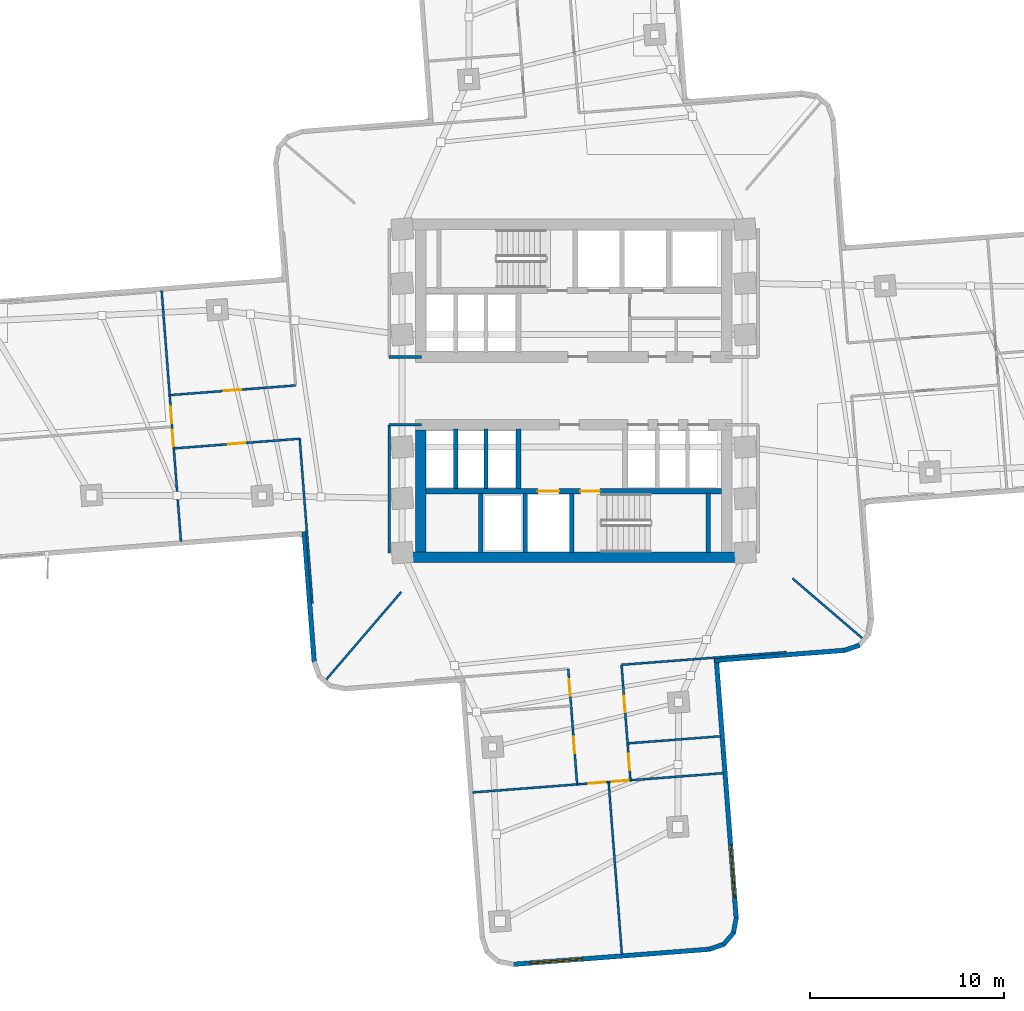
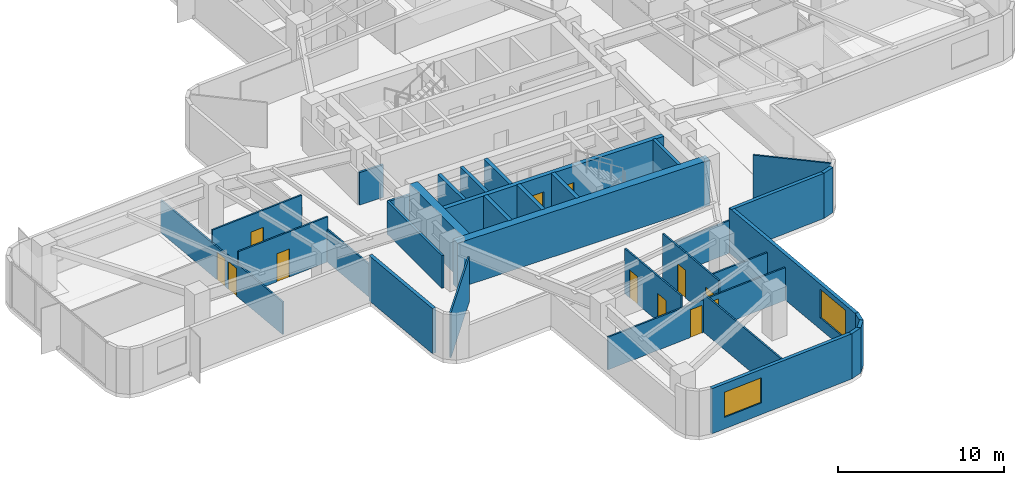
# One storey, part 8 of 15: 33 walls, 12 doors, 2 windows, 14 openings.
"""IFC4 building model written with IfcOpenShell, lengths in metres."""

from ifc_helpers import new_model, si_unit, direction, frame, frame_2d, origin, place, context, subcontext, project, spatial, rectangle, extrude, material, layer, layer_set, type_object, element, fill, save


model = new_model("IFC4")

# Units and contexts
model_context = context("Model", 3, precision=1e-05, world=origin(), true_north=direction((0.0, 1.0)))
body_context = subcontext(model_context, "Body", "Model", "MODEL_VIEW")
ifc_project = project(units=[si_unit("LENGTHUNIT", "METRE"), si_unit("AREAUNIT", "SQUARE_METRE"), si_unit("VOLUMEUNIT", "CUBIC_METRE"), si_unit("PLANEANGLEUNIT", "RADIAN"), si_unit("MASSUNIT", "GRAM", prefix="KILO")], contexts=[model_context])

# Site, building, storey
site_placement = place(None, origin())
site = spatial("IfcSite", under=ifc_project, at=site_placement, CompositionType="ELEMENT")
building_placement = place(site_placement, origin())
building = spatial("IfcBuilding", under=site, at=building_placement, Name="Solmarez Civic Tower", CompositionType="ELEMENT")
storey_placement = place(building_placement, frame((0.0, 0.0, 60.47998046875)))
storey = spatial("IfcBuildingStorey", under=building, at=storey_placement, Name="L15", CompositionType="ELEMENT", Elevation=60.47998046875)

# Walls
ifc_material_1 = material(Name="Concrete C60/75", Category="concrete")
ifc_layer_1 = layer(ifc_material_1, 0.550048828125)
ifc_layer_set_1 = layer_set([ifc_layer_1], Name="Concrete C60/75")
wall_type_1 = type_object("IfcWallType", Name="WALL-CORE-550", PredefinedType="SHEAR", material=ifc_layer_set_1)
wall_1_placement = place(storey_placement, frame((8.780029296875, -8.5849609375, 0.0), z_axis=(0.0, 0.0, 1.0), x_axis=(-1.0, 0.0, 0.0)))
element("IfcWall", 1, at=wall_1_placement, inside=storey, type_object=wall_type_1, Name="L15 Split-Core Structural Wall SCW-S-L15", PredefinedType="SHEAR", context=body_context, shape_type="SweptSolid", body=[
    extrude(rectangle(XDim=17.56005859375, YDim=0.550048828125, at=frame_2d((8.780029296875, 0.0))), origin(), (0.0, 0.0, 1.0), 3.320068359375),
])
wall_2_placement = place(storey_placement, frame((-7.89501953125, -8.31005859375, 0.0), z_axis=(0.0, 0.0, 1.0), x_axis=(0.0, 1.0, 0.0)))
element("IfcWall", 2, at=wall_2_placement, inside=storey, type_object=wall_type_1, Name="L15 Split-Core Structural Wall SCW-W-L15", PredefinedType="SHEAR", context=body_context, shape_type="SweptSolid", body=[
    extrude(rectangle(XDim=6.28515625, YDim=0.550048828125, at=frame_2d((3.142578125, 0.0))), origin(), (0.0, 0.0, 1.0), 3.320068359375),
])
ifc_material_2 = material(Name="Precast concrete C40/50", Category="concrete")
ifc_layer_2 = layer(ifc_material_2, 0.239990234375)
ifc_layer_set_2 = layer_set([ifc_layer_2], Name="Precast concrete C40/50")
wall_type_2 = type_object("IfcWallType", Name="WALL-EXT-240", PredefinedType="SOLIDWALL", material=ifc_layer_set_2)
wall_3_placement = place(storey_placement, frame((14.762939453125, -13.1279296875, 0.0), z_axis=(0.0, 0.0, 1.0), x_axis=(-0.943569376564, -0.331174926, 0.0)))
element("IfcWall", 3, at=wall_3_placement, inside=storey, type_object=wall_type_2, Name="L15 Exterior Precast Wall 52", PredefinedType="SOLIDWALL", context=body_context, shape_type="SweptSolid", body=[
    extrude(rectangle(XDim=0.830810546875, YDim=0.239990234375, at=frame_2d((0.41552734375, 0.0))), origin(), (0.0, 0.0, 1.0), 3.320068359375),
])
wall_4_placement = place(storey_placement, frame((14.028076171875, -13.39306640625, 0.0), z_axis=(0.0, 0.0, 1.0), x_axis=(-0.997050032451, -0.076754366588, 0.0)))
element("IfcWall", 4, at=wall_4_placement, inside=storey, type_object=wall_type_2, Name="L15 Exterior Precast Wall 53", PredefinedType="SOLIDWALL", context=body_context, shape_type="SweptSolid", body=[
    extrude(rectangle(XDim=6.775146484375, YDim=0.239990234375, at=frame_2d((3.3876953125, 0.0))), origin(), (0.0, 0.0, 1.0), 3.320068359375),
])

# Wall, opening, window
wall_5_placement = place(storey_placement, frame((7.362060546875, -13.81005859375, 0.0), z_axis=(0.0, 0.0, 1.0), x_axis=(0.076653550573, -0.997057788287, 0.0)))
wall_5 = element("IfcWall", 5, at=wall_5_placement, inside=storey, type_object=wall_type_2, Name="L15 Exterior Precast Wall 56", PredefinedType="SOLIDWALL", context=body_context, shape_type="SweptSolid", body=[
    extrude(rectangle(XDim=13.4755859375, YDim=0.239990234375, at=frame_2d((6.73779296875, 0.0))), origin(), (0.0, 0.0, 1.0), 3.320068359375),
])
opening_1_placement = place(wall_5_placement, frame((9.676025390625, 0.0, 0.85009765625)))
opening_1 = element("IfcOpeningElement", 6, at=opening_1_placement, cuts=wall_5, Name="Opening W-01", PredefinedType="OPENING", context=body_context, shape_type="SweptSolid", body=[
    extrude(rectangle(XDim=2.699951171875, YDim=2.10009765625, at=frame_2d((1.35009765625, 1.050048828125))), frame((0.0, 0.1298828125, 0.0), z_axis=(0.0, -1.0, 0.0), x_axis=(1.0, 0.0, 0.0)), (0.0, 0.0, 1.0), 0.260009765625),
])
ifc_material_3 = material(Name="Solar Control Bronze-Tinted Insulating Glass", Category="glass")
window_type_1 = type_object("IfcWindowType", Name="WIN-2700X2100", PartitioningType="SINGLE_PANEL", PredefinedType="WINDOW", material=ifc_material_3)
window_1_placement = place(opening_1_placement, origin())
window_1 = element("IfcWindow", 7, at=window_1_placement, inside=storey, type_object=window_type_1, Name="L15 Exterior Facade Window 56", OverallHeight=2.10009765625, OverallWidth=2.699951171875, PartitioningType="SINGLE_PANEL", PredefinedType="WINDOW", context=body_context, shape_type="SweptSolid", body=[
    extrude(rectangle(XDim=2.699951171875, YDim=2.10009765625, at=frame_2d((1.35009765625, 1.050048828125))), frame((0.0, 0.030029296875, 0.0), z_axis=(0.0, -1.0, 0.0), x_axis=(1.0, 0.0, 0.0)), (0.0, 0.0, 1.0), 0.06005859375),
])
fill(opening_1, window_1)

# Walls
wall_6_placement = place(storey_placement, frame((8.39794921875, -27.196044921875, 0.0), z_axis=(0.0, 0.0, 1.0), x_axis=(-0.184110958028, -0.982905466021, 0.0)))
element("IfcWall", 8, at=wall_6_placement, inside=storey, type_object=wall_type_2, Name="L15 Exterior Precast Wall 57", PredefinedType="SOLIDWALL", context=body_context, shape_type="SweptSolid", body=[
    extrude(rectangle(XDim=0.830078125, YDim=0.239990234375, at=frame_2d((0.4150390625, 0.0))), origin(), (0.0, 0.0, 1.0), 3.320068359375),
])
wall_7_placement = place(storey_placement, frame((8.26611328125, -27.968017578125, 0.0), z_axis=(0.0, 0.0, 1.0), x_axis=(-0.65106299761, -0.759023697352, 0.0)))
element("IfcWall", 9, at=wall_7_placement, inside=storey, type_object=wall_type_2, Name="L15 Exterior Precast Wall 58", PredefinedType="SOLIDWALL", context=body_context, shape_type="SweptSolid", body=[
    extrude(rectangle(XDim=0.814208984375, YDim=0.239990234375, at=frame_2d((0.4072265625, 0.0))), origin(), (0.0, 0.0, 1.0), 3.320068359375),
])
wall_8_placement = place(storey_placement, frame((7.77587890625, -28.55908203125, 0.0), z_axis=(0.0, 0.0, 1.0), x_axis=(-0.943293653353, -0.331959460694, 0.0)))
element("IfcWall", 10, at=wall_8_placement, inside=storey, type_object=wall_type_2, Name="L15 Exterior Precast Wall 59", PredefinedType="SOLIDWALL", context=body_context, shape_type="SweptSolid", body=[
    extrude(rectangle(XDim=0.8310546875, YDim=0.239990234375, at=frame_2d((0.41552734375, 0.0))), origin(), (0.0, 0.0, 1.0), 3.320068359375),
])

# Wall, opening, window
wall_9_placement = place(storey_placement, frame((7.041015625, -28.824951171875, 0.0), z_axis=(0.0, 0.0, 1.0), x_axis=(-0.997052658111, -0.076720251263, 0.0)))
wall_9 = element("IfcWall", 11, at=wall_9_placement, inside=storey, type_object=wall_type_2, Name="L15 Exterior Precast Wall 60", PredefinedType="SOLIDWALL", context=body_context, shape_type="SweptSolid", body=[
    extrude(rectangle(XDim=10.218017578125, YDim=0.239990234375, at=frame_2d((5.10888671875, 0.0))), origin(), (0.0, 0.0, 1.0), 3.320068359375),
])
opening_2_placement = place(wall_9_placement, frame((6.6201171875, 0.0, 0.85009765625)))
opening_2 = element("IfcOpeningElement", 12, at=opening_2_placement, cuts=wall_9, Name="Opening W-05", PredefinedType="OPENING", context=body_context, shape_type="SweptSolid", body=[
    extrude(rectangle(XDim=2.699951171875, YDim=1.85009765625, at=frame_2d((1.35009765625, 0.925048828125))), frame((0.0, 0.1298828125, 0.0), z_axis=(0.0, -1.0, 0.0), x_axis=(1.0, 0.0, 0.0)), (0.0, 0.0, 1.0), 0.260009765625),
])
window_type_2 = type_object("IfcWindowType", Name="WIN-2700X1850", PartitioningType="SINGLE_PANEL", PredefinedType="WINDOW", material=ifc_material_3)
window_2_placement = place(opening_2_placement, origin())
window_2 = element("IfcWindow", 13, at=window_2_placement, inside=storey, type_object=window_type_2, Name="L15 Exterior Facade Window 60", OverallHeight=1.85009765625, OverallWidth=2.699951171875, PartitioningType="SINGLE_PANEL", PredefinedType="WINDOW", context=body_context, shape_type="SweptSolid", body=[
    extrude(rectangle(XDim=2.699951171875, YDim=1.85009765625, at=frame_2d((1.35009765625, 0.925048828125))), frame((0.0, 0.030029296875, 0.0), z_axis=(0.0, -1.0, 0.0), x_axis=(1.0, 0.0, 0.0)), (0.0, 0.0, 1.0), 0.06005859375),
])
fill(opening_2, window_2)

# Walls
wall_10_placement = place(storey_placement, frame((-13.39306640625, -14.028076171875, 0.0), z_axis=(0.0, 0.0, 1.0), x_axis=(-0.076754366588, 0.997050032451, 0.0)))
element("IfcWall", 14, at=wall_10_placement, inside=storey, type_object=wall_type_2, Name="L15 Exterior Precast Wall 71", PredefinedType="SOLIDWALL", context=body_context, shape_type="SweptSolid", body=[
    extrude(rectangle(XDim=6.775146484375, YDim=0.239990234375, at=frame_2d((3.3876953125, 0.0))), origin(), (0.0, 0.0, 1.0), 3.320068359375),
])
ifc_material_4 = material(Name="Gypsum Board Acoustic Steel-Stud Partition", Category="steel")
ifc_layer_3 = layer(ifc_material_4, 0.14990234375)
ifc_layer_set_3 = layer_set([ifc_layer_3], Name="Gypsum Board Acoustic Steel-Stud Partition")
wall_type_3 = type_object("IfcWallType", Name="WALL-INT-FIRE-150", PredefinedType="PARTITIONING", material=ifc_layer_set_3)
wall_11_placement = place(storey_placement, frame((-7.85009765625, 1.75, 0.0), z_axis=(0.0, 0.0, 1.0), x_axis=(-1.0, 0.0, 0.0)))
element("IfcWall", 15, at=wall_11_placement, inside=storey, type_object=wall_type_3, Name="L15 Interior Partition CHW-L15-WN3", PredefinedType="PARTITIONING", context=body_context, shape_type="SweptSolid", body=[
    extrude(rectangle(XDim=1.669921875, YDim=0.14990234375, at=frame_2d((0.8349609375, 0.0))), origin(), (0.0, 0.0, 1.0), 2.385009765625),
])
wall_12_placement = place(storey_placement, frame((-9.52001953125, -8.3798828125, 0.0), z_axis=(0.0, 0.0, 1.0), x_axis=(0.0, 1.0, 0.0)))
element("IfcWall", 16, at=wall_12_placement, inside=storey, type_object=wall_type_3, Name="L15 Interior Partition CHW-L15-WS1", PredefinedType="PARTITIONING", context=body_context, shape_type="SweptSolid", body=[
    extrude(rectangle(XDim=6.6298828125, YDim=0.14990234375, at=frame_2d((3.31494140625, 0.0))), origin(), (0.0, 0.0, 1.0), 2.401123046875),
])
wall_13_placement = place(storey_placement, frame((-7.85009765625, -1.75, 0.0), z_axis=(0.0, 0.0, 1.0), x_axis=(-1.0, 0.0, 0.0)))
element("IfcWall", 17, at=wall_13_placement, inside=storey, type_object=wall_type_3, Name="L15 Interior Partition CHW-L15-WS3", PredefinedType="PARTITIONING", context=body_context, shape_type="SweptSolid", body=[
    extrude(rectangle(XDim=1.669921875, YDim=0.14990234375, at=frame_2d((0.8349609375, 0.0))), origin(), (0.0, 0.0, 1.0), 2.385009765625),
])
ifc_layer_4 = layer(ifc_material_4, 0.110107421875)
ifc_layer_set_4 = layer_set([ifc_layer_4], Name="Gypsum Board Acoustic Steel-Stud Partition")
wall_type_4 = type_object("IfcWallType", Name="WALL-INT-PART-110", PredefinedType="PARTITIONING", material=ifc_layer_set_4)
wall_14_placement = place(storey_placement, frame((-8.89697265625, -10.3798828125, 0.0), z_axis=(0.0, 0.0, 1.0), x_axis=(-0.650777932984, -0.759268122564, 0.0)))
element("IfcWall", 18, at=wall_14_placement, inside=storey, type_object=wall_type_4, Name="L15 Interior Partition PT-L15-QDIV-3", PredefinedType="PARTITIONING", context=body_context, shape_type="SweptSolid", body=[
    extrude(rectangle(XDim=5.983642578125, YDim=0.110107421875, at=frame_2d((2.99169921875, 0.0))), origin(), (0.0, 0.0, 1.0), 3.320068359375),
])
wall_15_placement = place(storey_placement, frame((11.300048828125, -9.68505859375, 0.0), z_axis=(0.0, 0.0, 1.0), x_axis=(0.759206042513, -0.650850355313, 0.0)))
element("IfcWall", 19, at=wall_15_placement, inside=storey, type_object=wall_type_4, Name="L15 Interior Partition PT-L15-QDIV-4", PredefinedType="PARTITIONING", context=body_context, shape_type="SweptSolid", body=[
    extrude(rectangle(XDim=4.772216796875, YDim=0.110107421875, at=frame_2d((2.38623046875, 0.0))), origin(), (0.0, 0.0, 1.0), 3.320068359375),
])
wall_16_placement = place(storey_placement, frame((-14.14306640625, -2.4619140625, 0.0), z_axis=(0.0, 0.0, 1.0), x_axis=(0.076722700704, -0.997052469631, 0.0)))
element("IfcWall", 20, at=wall_16_placement, inside=storey, type_object=wall_type_4, Name="L15 Interior Partition PT-L15-W-EFL", PredefinedType="PARTITIONING", context=body_context, shape_type="SweptSolid", body=[
    extrude(rectangle(XDim=8.55029296875, YDim=0.110107421875, at=frame_2d((4.275146484375, 0.0))), origin(), (0.0, 0.0, 1.0), 2.401123046875),
])

# Wall, opening, door
wall_17_placement = place(storey_placement, frame((-20.64306640625, -2.971923828125, 0.0), z_axis=(0.0, 0.0, 1.0), x_axis=(0.997055366468, 0.076685045461, 0.0)))
wall_17 = element("IfcWall", 21, at=wall_17_placement, inside=storey, type_object=wall_type_4, Name="L15 Interior Partition PT-L15-W-SL", PredefinedType="PARTITIONING", context=body_context, shape_type="SweptSolid", body=[
    extrude(rectangle(XDim=6.520263671875, YDim=0.110107421875, at=frame_2d((3.26025390625, 0.0))), origin(), (0.0, 0.0, 1.0), 3.320068359375),
])
opening_3_placement = place(wall_17_placement, frame((2.81005859375, 0.0, 0.0)))
opening_3 = element("IfcOpeningElement", 22, at=opening_3_placement, cuts=wall_17, Name="Opening D-08", PredefinedType="OPENING", context=body_context, shape_type="SweptSolid", body=[
    extrude(rectangle(XDim=0.89990234375, YDim=2.06005859375, at=frame_2d((0.449951171875, 1.030029296875))), frame((0.0, 0.06494140625, 0.0), z_axis=(0.0, -1.0, 0.0), x_axis=(1.0, 0.0, 0.0)), (0.0, 0.0, 1.0), 0.130126953125),
])
ifc_material_5 = material(Name="Solid-Core Timber Office Door", Category="wood")
door_type_1 = type_object("IfcDoorType", Name="DOOR-INT-900", OperationType="NOTDEFINED", PredefinedType="DOOR", material=ifc_material_5)
door_1_placement = place(opening_3_placement, origin())
door_1 = element("IfcDoor", 23, at=door_1_placement, inside=storey, type_object=door_type_1, Name="L15 Delegates Sitting Lounge West Door", OperationType="SINGLE_SWING_LEFT", OverallHeight=2.06005859375, OverallWidth=0.89990234375, PredefinedType="DOOR", context=body_context, shape_type="SweptSolid", body=[
    extrude(rectangle(XDim=0.89990234375, YDim=2.06005859375, at=frame_2d((0.449951171875, 1.030029296875))), frame((0.0, 0.02490234375, 0.0), z_axis=(0.0, -1.0, 0.0), x_axis=(1.0, 0.0, 0.0)), (0.0, 0.0, 1.0), 0.050048828125),
])
fill(opening_3, door_1)

wall_18_placement = place(storey_placement, frame((-14.35400390625, 0.280029296875, 0.0), z_axis=(0.0, 0.0, 1.0), x_axis=(-0.997043903764, -0.076833937604, 0.0)))
wall_18 = element("IfcWall", 24, at=wall_18_placement, inside=storey, type_object=wall_type_4, Name="L15 Interior Partition PT-L15-W-SR", PredefinedType="PARTITIONING", context=body_context, shape_type="SweptSolid", body=[
    extrude(rectangle(XDim=6.520263671875, YDim=0.110107421875, at=frame_2d((3.26025390625, 0.0))), origin(), (0.0, 0.0, 1.0), 3.320068359375),
])
opening_4_placement = place(wall_18_placement, frame((2.81005859375, 0.0, 0.0)))
opening_4 = element("IfcOpeningElement", 25, at=opening_4_placement, cuts=wall_18, Name="Opening D-08", PredefinedType="OPENING", context=body_context, shape_type="SweptSolid", body=[
    extrude(rectangle(XDim=0.89990234375, YDim=2.06005859375, at=frame_2d((0.449951171875, 1.030029296875))), frame((0.0, 0.06494140625, 0.0), z_axis=(0.0, -1.0, 0.0), x_axis=(1.0, 0.0, 0.0)), (0.0, 0.0, 1.0), 0.130126953125),
])
door_2_placement = place(opening_4_placement, origin())
door_2 = element("IfcDoor", 26, at=door_2_placement, inside=storey, type_object=door_type_1, Name="L15 Civic Multi-Purpose Room West Door", OperationType="SINGLE_SWING_RIGHT", OverallHeight=2.06005859375, OverallWidth=0.89990234375, PredefinedType="DOOR", context=body_context, shape_type="SweptSolid", body=[
    extrude(rectangle(XDim=0.89990234375, YDim=2.06005859375, at=frame_2d((0.449951171875, 1.030029296875))), frame((0.0, 0.02490234375, 0.0), z_axis=(0.0, -1.0, 0.0), x_axis=(1.0, 0.0, 0.0)), (0.0, 0.0, 1.0), 0.050048828125),
])
fill(opening_4, door_2)

# Wall, openings, doors
wall_19_placement = place(storey_placement, frame((-20.27392578125, -7.77294921875, 0.0), z_axis=(0.0, 0.0, 1.0), x_axis=(-0.076686437656, 0.997055259391, 0.0)))
wall_19 = element("IfcWall", 27, at=wall_19_placement, inside=storey, type_object=wall_type_4, Name="L15 Interior Partition PT-L15-W-END", PredefinedType="PARTITIONING", context=body_context, shape_type="SweptSolid", body=[
    extrude(rectangle(XDim=12.9892578125, YDim=0.110107421875, at=frame_2d((6.49462890625, 0.0))), origin(), (0.0, 0.0, 1.0), 2.401123046875),
])
opening_5_placement = place(wall_19_placement, frame((6.114990234375, 0.0, 0.0)))
opening_5 = element("IfcOpeningElement", 28, at=opening_5_placement, cuts=wall_19, Name="Opening D-14", PredefinedType="OPENING", context=body_context, shape_type="SweptSolid", body=[
    extrude(rectangle(XDim=0.860107421875, YDim=2.0400390625, at=frame_2d((0.43017578125, 1.02001953125))), frame((0.0, 0.06494140625, 0.0), z_axis=(0.0, -1.0, 0.0), x_axis=(1.0, 0.0, 0.0)), (0.0, 0.0, 1.0), 0.130126953125),
])
opening_6_placement = place(wall_19_placement, frame((4.9150390625, 0.0, 0.0)))
opening_6 = element("IfcOpeningElement", 29, at=opening_6_placement, cuts=wall_19, Name="Opening D-14", PredefinedType="OPENING", context=body_context, shape_type="SweptSolid", body=[
    extrude(rectangle(XDim=0.860107421875, YDim=2.0400390625, at=frame_2d((0.43017578125, 1.02001953125))), frame((0.0, 0.06494140625, 0.0), z_axis=(0.0, -1.0, 0.0), x_axis=(1.0, 0.0, 0.0)), (0.0, 0.0, 1.0), 0.130126953125),
])
ifc_material_6 = material(Name="Timber Storage and Pantry Door", Category="wood")
door_type_2 = type_object("IfcDoorType", Name="DOOR-INT-850", OperationType="NOTDEFINED", PredefinedType="DOOR", material=ifc_material_6)
door_3_placement = place(opening_5_placement, origin())
door_3 = element("IfcDoor", 30, at=door_3_placement, inside=storey, type_object=door_type_2, Name="L15 Catering Servery Sixth West Door", OperationType="SINGLE_SWING_RIGHT", OverallHeight=2.0400390625, OverallWidth=0.860107421875, PredefinedType="DOOR", context=body_context, shape_type="SweptSolid", body=[
    extrude(rectangle(XDim=0.860107421875, YDim=2.0400390625, at=frame_2d((0.43017578125, 1.02001953125))), frame((0.0, 0.02490234375, 0.0), z_axis=(0.0, -1.0, 0.0), x_axis=(1.0, 0.0, 0.0)), (0.0, 0.0, 1.0), 0.050048828125),
])
fill(opening_5, door_3)
door_4_placement = place(opening_6_placement, origin())
door_4 = element("IfcDoor", 31, at=door_4_placement, inside=storey, type_object=door_type_2, Name="L15 Staff Dining Canteen Fifth West Door", OperationType="SINGLE_SWING_LEFT", OverallHeight=2.0400390625, OverallWidth=0.860107421875, PredefinedType="DOOR", context=body_context, shape_type="SweptSolid", body=[
    extrude(rectangle(XDim=0.860107421875, YDim=2.0400390625, at=frame_2d((0.43017578125, 1.02001953125))), frame((0.0, 0.02490234375, 0.0), z_axis=(0.0, -1.0, 0.0), x_axis=(1.0, 0.0, 0.0)), (0.0, 0.0, 1.0), 0.050048828125),
])
fill(opening_6, door_4)

# Walls
wall_20_placement = place(storey_placement, frame((2.4619140625, -14.14306640625, 0.0), z_axis=(0.0, 0.0, 1.0), x_axis=(0.997052469631, 0.076722700704, 0.0)))
element("IfcWall", 32, at=wall_20_placement, inside=storey, type_object=wall_type_4, Name="L15 Interior Partition PT-L15-S-EFL", PredefinedType="PARTITIONING", context=body_context, shape_type="SweptSolid", body=[
    extrude(rectangle(XDim=8.55029296875, YDim=0.110107421875, at=frame_2d((4.275146484375, 0.0))), origin(), (0.0, 0.0, 1.0), 2.401123046875),
])
wall_21_placement = place(storey_placement, frame((2.803955078125, -18.197998046875, 0.0), z_axis=(0.0, 0.0, 1.0), x_axis=(0.997067648773, 0.076525183889, 0.0)))
element("IfcWall", 33, at=wall_21_placement, inside=storey, type_object=wall_type_4, Name="L15 Interior Partition PT-L15-S-LM", PredefinedType="PARTITIONING", context=body_context, shape_type="SweptSolid", body=[
    extrude(rectangle(XDim=4.795166015625, YDim=0.110107421875, at=frame_2d((2.3974609375, 0.0))), origin(), (0.0, 0.0, 1.0), 2.401123046875),
])

# Wall, openings, doors
wall_22_placement = place(storey_placement, frame((2.930908203125, -20.10400390625, 0.0), z_axis=(0.0, 0.0, 1.0), x_axis=(-0.076758943432, 0.997049680108, 0.0)))
wall_22 = element("IfcWall", 34, at=wall_22_placement, inside=storey, type_object=wall_type_4, Name="L15 Interior Partition PT-L15-S-SL", PredefinedType="PARTITIONING", context=body_context, shape_type="SweptSolid", body=[
    extrude(rectangle(XDim=5.9794921875, YDim=0.110107421875, at=frame_2d((2.98974609375, 0.0))), origin(), (0.0, 0.0, 1.0), 3.320068359375),
])
opening_7_placement = place(wall_22_placement, frame((3.514892578125, 0.0, 0.0)))
opening_7 = element("IfcOpeningElement", 35, at=opening_7_placement, cuts=wall_22, Name="Opening D-14", PredefinedType="OPENING", context=body_context, shape_type="SweptSolid", body=[
    extrude(rectangle(XDim=0.860107421875, YDim=2.0400390625, at=frame_2d((0.43017578125, 1.02001953125))), frame((0.0, 0.06494140625, 0.0), z_axis=(0.0, -1.0, 0.0), x_axis=(1.0, 0.0, 0.0)), (0.0, 0.0, 1.0), 0.130126953125),
])
opening_8_placement = place(wall_22_placement, frame((0.52490234375, 0.0, 0.0)))
opening_8 = element("IfcOpeningElement", 36, at=opening_8_placement, cuts=wall_22, Name="Opening D-14", PredefinedType="OPENING", context=body_context, shape_type="SweptSolid", body=[
    extrude(rectangle(XDim=0.860107421875, YDim=2.0400390625, at=frame_2d((0.43017578125, 1.02001953125))), frame((0.0, 0.06494140625, 0.0), z_axis=(0.0, -1.0, 0.0), x_axis=(1.0, 0.0, 0.0)), (0.0, 0.0, 1.0), 0.130126953125),
])
door_5_placement = place(opening_7_placement, origin())
door_5 = element("IfcDoor", 37, at=door_5_placement, inside=storey, type_object=door_type_2, Name="L15 Civic Multi-Purpose Room First South Door", OperationType="SINGLE_SWING_LEFT", OverallHeight=2.0400390625, OverallWidth=0.860107421875, PredefinedType="DOOR", context=body_context, shape_type="SweptSolid", body=[
    extrude(rectangle(XDim=0.860107421875, YDim=2.0400390625, at=frame_2d((0.43017578125, 1.02001953125))), frame((0.0, 0.02490234375, 0.0), z_axis=(0.0, -1.0, 0.0), x_axis=(1.0, 0.0, 0.0)), (0.0, 0.0, 1.0), 0.050048828125),
])
fill(opening_7, door_5)
door_6_placement = place(opening_8_placement, origin())
door_6 = element("IfcDoor", 38, at=door_6_placement, inside=storey, type_object=door_type_2, Name="L15 Staff Dining Canteen Second South Door", OperationType="SINGLE_SWING_RIGHT", OverallHeight=2.0400390625, OverallWidth=0.860107421875, PredefinedType="DOOR", context=body_context, shape_type="SweptSolid", body=[
    extrude(rectangle(XDim=0.860107421875, YDim=2.0400390625, at=frame_2d((0.43017578125, 1.02001953125))), frame((0.0, 0.02490234375, 0.0), z_axis=(0.0, -1.0, 0.0), x_axis=(1.0, 0.0, 0.0)), (0.0, 0.0, 1.0), 0.050048828125),
])
fill(opening_8, door_6)

wall_23_placement = place(storey_placement, frame((-0.280029296875, -14.35400390625, 0.0), z_axis=(0.0, 0.0, 1.0), x_axis=(0.076758943432, -0.997049680108, 0.0)))
wall_23 = element("IfcWall", 39, at=wall_23_placement, inside=storey, type_object=wall_type_4, Name="L15 Interior Partition PT-L15-S-SR", PredefinedType="PARTITIONING", context=body_context, shape_type="SweptSolid", body=[
    extrude(rectangle(XDim=5.9794921875, YDim=0.110107421875, at=frame_2d((2.98974609375, 0.0))), origin(), (0.0, 0.0, 1.0), 3.320068359375),
])
opening_9_placement = place(wall_23_placement, frame((0.52490234375, 0.0, 0.0)))
opening_9 = element("IfcOpeningElement", 40, at=opening_9_placement, cuts=wall_23, Name="Opening D-14", PredefinedType="OPENING", context=body_context, shape_type="SweptSolid", body=[
    extrude(rectangle(XDim=0.860107421875, YDim=2.0400390625, at=frame_2d((0.43017578125, 1.02001953125))), frame((0.0, 0.06494140625, 0.0), z_axis=(0.0, -1.0, 0.0), x_axis=(1.0, 0.0, 0.0)), (0.0, 0.0, 1.0), 0.130126953125),
])
opening_10_placement = place(wall_23_placement, frame((3.514892578125, 0.0, 0.0)))
opening_10 = element("IfcOpeningElement", 41, at=opening_10_placement, cuts=wall_23, Name="Opening D-14", PredefinedType="OPENING", context=body_context, shape_type="SweptSolid", body=[
    extrude(rectangle(XDim=0.860107421875, YDim=2.0400390625, at=frame_2d((0.43017578125, 1.02001953125))), frame((0.0, 0.06494140625, 0.0), z_axis=(0.0, -1.0, 0.0), x_axis=(1.0, 0.0, 0.0)), (0.0, 0.0, 1.0), 0.130126953125),
])
door_7_placement = place(opening_9_placement, origin())
door_7 = element("IfcDoor", 42, at=door_7_placement, inside=storey, type_object=door_type_2, Name="L15 Catering Servery Third South Door", OperationType="SINGLE_SWING_RIGHT", OverallHeight=2.0400390625, OverallWidth=0.860107421875, PredefinedType="DOOR", context=body_context, shape_type="SweptSolid", body=[
    extrude(rectangle(XDim=0.860107421875, YDim=2.0400390625, at=frame_2d((0.43017578125, 1.02001953125))), frame((0.0, 0.02490234375, 0.0), z_axis=(0.0, -1.0, 0.0), x_axis=(1.0, 0.0, 0.0)), (0.0, 0.0, 1.0), 0.050048828125),
])
fill(opening_9, door_7)
door_8_placement = place(opening_10_placement, origin())
door_8 = element("IfcDoor", 43, at=door_8_placement, inside=storey, type_object=door_type_2, Name="L15 Delegates Sitting Lounge Fourth South Door", OperationType="SINGLE_SWING_LEFT", OverallHeight=2.0400390625, OverallWidth=0.860107421875, PredefinedType="DOOR", context=body_context, shape_type="SweptSolid", body=[
    extrude(rectangle(XDim=0.860107421875, YDim=2.0400390625, at=frame_2d((0.43017578125, 1.02001953125))), frame((0.0, 0.02490234375, 0.0), z_axis=(0.0, -1.0, 0.0), x_axis=(1.0, 0.0, 0.0)), (0.0, 0.0, 1.0), 0.050048828125),
])
fill(opening_10, door_8)

# Wall
wall_24_placement = place(storey_placement, frame((1.80908203125, -20.2509765625, 0.0), z_axis=(0.0, 0.0, 1.0), x_axis=(0.076696498885, -0.997054485502, 0.0)))
element("IfcWall", 44, at=wall_24_placement, inside=storey, type_object=wall_type_4, Name="L15 Interior Partition PT-L15-S-TM", PredefinedType="PARTITIONING", context=body_context, shape_type="SweptSolid", body=[
    extrude(rectangle(XDim=8.865234375, YDim=0.110107421875, at=frame_2d((4.4326171875, 0.0))), origin(), (0.0, 0.0, 1.0), 2.81201171875),
])

# Wall, openings, doors
wall_25_placement = place(storey_placement, frame((7.73193359375, -19.735107421875, 0.0), z_axis=(0.0, 0.0, 1.0), x_axis=(-0.99705713822, -0.076662005745, 0.0)))
wall_25 = element("IfcWall", 45, at=wall_25_placement, inside=storey, type_object=wall_type_4, Name="L15 Interior Partition PT-L15-S-END", PredefinedType="PARTITIONING", context=body_context, shape_type="SweptSolid", body=[
    extrude(rectangle(XDim=12.990234375, YDim=0.110107421875, at=frame_2d((6.4951171875, 0.0))), origin(), (0.0, 0.0, 1.0), 2.401123046875),
])
opening_11_placement = place(wall_25_placement, frame((6.114990234375, 0.0, 0.0)))
opening_11 = element("IfcOpeningElement", 46, at=opening_11_placement, cuts=wall_25, Name="Opening D-14", PredefinedType="OPENING", context=body_context, shape_type="SweptSolid", body=[
    extrude(rectangle(XDim=0.860107421875, YDim=2.0400390625, at=frame_2d((0.43017578125, 1.02001953125))), frame((0.0, 0.06494140625, 0.0), z_axis=(0.0, -1.0, 0.0), x_axis=(1.0, 0.0, 0.0)), (0.0, 0.0, 1.0), 0.130126953125),
])
opening_12_placement = place(wall_25_placement, frame((4.9150390625, 0.0, 0.0)))
opening_12 = element("IfcOpeningElement", 47, at=opening_12_placement, cuts=wall_25, Name="Opening D-14", PredefinedType="OPENING", context=body_context, shape_type="SweptSolid", body=[
    extrude(rectangle(XDim=0.860107421875, YDim=2.0400390625, at=frame_2d((0.43017578125, 1.02001953125))), frame((0.0, 0.06494140625, 0.0), z_axis=(0.0, -1.0, 0.0), x_axis=(1.0, 0.0, 0.0)), (0.0, 0.0, 1.0), 0.130126953125),
])
door_9_placement = place(opening_11_placement, origin())
door_9 = element("IfcDoor", 48, at=door_9_placement, inside=storey, type_object=door_type_2, Name="L15 Delegates Sitting Lounge Sixth South Door", OperationType="SINGLE_SWING_RIGHT", OverallHeight=2.0400390625, OverallWidth=0.860107421875, PredefinedType="DOOR", context=body_context, shape_type="SweptSolid", body=[
    extrude(rectangle(XDim=0.860107421875, YDim=2.0400390625, at=frame_2d((0.43017578125, 1.02001953125))), frame((0.0, 0.02490234375, 0.0), z_axis=(0.0, -1.0, 0.0), x_axis=(1.0, 0.0, 0.0)), (0.0, 0.0, 1.0), 0.050048828125),
])
fill(opening_11, door_9)
door_10_placement = place(opening_12_placement, origin())
door_10 = element("IfcDoor", 49, at=door_10_placement, inside=storey, type_object=door_type_2, Name="L15 Catering Servery Fifth South Door", OperationType="SINGLE_SWING_LEFT", OverallHeight=2.0400390625, OverallWidth=0.860107421875, PredefinedType="DOOR", context=body_context, shape_type="SweptSolid", body=[
    extrude(rectangle(XDim=0.860107421875, YDim=2.0400390625, at=frame_2d((0.43017578125, 1.02001953125))), frame((0.0, 0.02490234375, 0.0), z_axis=(0.0, -1.0, 0.0), x_axis=(1.0, 0.0, 0.0)), (0.0, 0.0, 1.0), 0.050048828125),
])
fill(opening_12, door_10)

ifc_material_7 = material(Name="Concrete C50/60", Category="concrete")
ifc_layer_5 = layer(ifc_material_7, 0.300048828125)
ifc_layer_set_5 = layer_set([ifc_layer_5], Name="Concrete C50/60")
wall_type_5 = type_object("IfcWallType", Name="WALL-STR-300", PredefinedType="SOLIDWALL", material=ifc_layer_set_5)
wall_26_placement = place(storey_placement, frame((-7.6201171875, -5.179931640625, 0.0), z_axis=(0.0, 0.0, 1.0), x_axis=(1.0, 0.0, 0.0)))
wall_26 = element("IfcWall", 50, at=wall_26_placement, inside=storey, type_object=wall_type_5, Name="L15 Split-Core Structural Wall SCW-M-L15", PredefinedType="SOLIDWALL", context=body_context, shape_type="SweptSolid", body=[
    extrude(rectangle(XDim=15.240234375, YDim=0.300048828125, at=frame_2d((7.6201171875, 0.0))), origin(), (0.0, 0.0, 1.0), 3.320068359375),
])
opening_13_placement = place(wall_26_placement, frame((5.77001953125, 0.0, 0.0)))
opening_13 = element("IfcOpeningElement", 51, at=opening_13_placement, cuts=wall_26, Name="Opening LD-02", PredefinedType="OPENING", context=body_context, shape_type="SweptSolid", body=[
    extrude(rectangle(XDim=1.10009765625, YDim=2.14990234375, at=frame_2d((0.550048828125, 1.074951171875))), frame((0.0, 0.159912109375, 0.0), z_axis=(0.0, -1.0, 0.0), x_axis=(1.0, 0.0, 0.0)), (0.0, 0.0, 1.0), 0.320068359375),
])
opening_14_placement = place(wall_26_placement, frame((7.969970703125, 0.0, 0.0)))
opening_14 = element("IfcOpeningElement", 52, at=opening_14_placement, cuts=wall_26, Name="Opening D-05", PredefinedType="OPENING", context=body_context, shape_type="SweptSolid", body=[
    extrude(rectangle(XDim=1.0, YDim=2.10009765625, at=frame_2d((0.5, 1.050048828125))), frame((0.0, 0.159912109375, 0.0), z_axis=(0.0, -1.0, 0.0), x_axis=(1.0, 0.0, 0.0)), (0.0, 0.0, 1.0), 0.320068359375),
])
ifc_material_8 = material(Name="Fire-Rated Stairwell Exit Door", Category="wood")
door_type_3 = type_object("IfcDoorType", Name="DOOR-FD90-1000", OperationType="NOTDEFINED", PredefinedType="DOOR", material=ifc_material_8)
door_11_placement = place(opening_14_placement, origin())
door_11 = element("IfcDoor", 53, at=door_11_placement, inside=storey, type_object=door_type_3, Name="L15 South Exit Stair Door ST-2", OperationType="SINGLE_SWING_LEFT", OverallHeight=2.10009765625, OverallWidth=1.0, PredefinedType="DOOR", context=body_context, shape_type="SweptSolid", body=[
    extrude(rectangle(XDim=1.0, YDim=2.10009765625, at=frame_2d((0.5, 1.050048828125))), frame((0.0, 0.02490234375, 0.0), z_axis=(0.0, -1.0, 0.0), x_axis=(1.0, 0.0, 0.0)), (0.0, 0.0, 1.0), 0.050048828125),
])
fill(opening_14, door_11)
ifc_material_9 = material(Name="Stainless Firefighting Lift Landing Sliding Door", Category="aluminium")
door_type_4 = type_object("IfcDoorType", Name="DOOR-LD-FF-1100", OperationType="DOUBLE_DOOR_SLIDING", PredefinedType="DOOR", material=ifc_material_9)
door_12_placement = place(opening_13_placement, origin())
door_12 = element("IfcDoor", 54, at=door_12_placement, inside=storey, type_object=door_type_4, Name="L15 Firefighting Lift Landing Door FFL-2", OperationType="DOUBLE_DOOR_SLIDING", OverallHeight=2.14990234375, OverallWidth=1.10009765625, PredefinedType="DOOR", context=body_context, shape_type="SweptSolid", body=[
    extrude(rectangle(XDim=1.10009765625, YDim=2.14990234375, at=frame_2d((0.550048828125, 1.074951171875))), frame((0.0, 0.02490234375, 0.0), z_axis=(0.0, -1.0, 0.0), x_axis=(1.0, 0.0, 0.0)), (0.0, 0.0, 1.0), 0.050048828125),
])
fill(opening_13, door_12)

# Walls
wall_27_placement = place(storey_placement, frame((6.949951171875, -8.340087890625, 0.0), z_axis=(0.0, 0.0, 1.0), x_axis=(0.0, 1.0, 0.0)))
element("IfcWall", 55, at=wall_27_placement, inside=storey, type_object=wall_type_5, Name="L15 Split-Core Structural Wall SHW-SE-L15", PredefinedType="SOLIDWALL", context=body_context, shape_type="SweptSolid", body=[
    extrude(rectangle(XDim=3.06005859375, YDim=0.219970703125, at=frame_2d((1.530029296875, 0.0))), origin(), (0.0, 0.0, 1.0), 3.320068359375),
])
for number, where, z_axis, x_axis, name in (
    (56, (-0.10009765625, -8.340087890625, 0.0), (0.0, 0.0, 1.0), (0.0, 1.0, 0.0), "L15 Split-Core Structural Wall SHW-S1-L15"),
    (57, (-2.5, -8.340087890625, 0.0), (0.0, 0.0, 1.0), (0.0, 1.0, 0.0), "L15 Split-Core Structural Wall SHW-S2-L15"),
    (58, (-4.800048828125, -8.340087890625, 0.0), (0.0, 0.0, 1.0), (0.0, 1.0, 0.0), "L15 Split-Core Structural Wall SHW-S3-L15"),
):
    element("IfcWall", number, at=place(storey_placement, frame(where, z_axis=z_axis, x_axis=x_axis)), inside=storey, type_object=wall_type_5, Name=name, PredefinedType="SOLIDWALL", context=body_context, shape_type="SweptSolid", body=[
        extrude(rectangle(XDim=3.0400390625, YDim=0.25, at=frame_2d((1.52001953125, 0.0))), origin(), (0.0, 0.0, 1.0), 3.320068359375),
    ])
wall_28_placement = place(storey_placement, frame((-2.85009765625, -5.050048828125, 0.0), z_axis=(0.0, 0.0, 1.0), x_axis=(0.0, 1.0, 0.0)))
element("IfcWall", 59, at=wall_28_placement, inside=storey, type_object=wall_type_5, Name="L15 Split-Core Structural Wall SHW-SL1-L15", PredefinedType="SOLIDWALL", context=body_context, shape_type="SweptSolid", body=[
    extrude(rectangle(XDim=3.070068359375, YDim=0.25, at=frame_2d((1.53515625, 0.0))), origin(), (0.0, 0.0, 1.0), 3.320068359375),
])
for number, where, z_axis, x_axis, name in (
    (60, (-6.080078125, -5.050048828125, 0.0), (0.0, 0.0, 1.0), (0.0, 1.0, 0.0), "L15 Split-Core Structural Wall SHW-PLM-L15-1"),
    (61, (-4.52001953125, -5.050048828125, 0.0), (0.0, 0.0, 1.0), (0.0, 1.0, 0.0), "L15 Split-Core Structural Wall SHW-PLM-L15-2"),
):
    element("IfcWall", number, at=place(storey_placement, frame(where, z_axis=z_axis, x_axis=x_axis)), inside=storey, type_object=wall_type_5, Name=name, PredefinedType="SOLIDWALL", context=body_context, shape_type="SweptSolid", body=[
        extrude(rectangle(XDim=3.070068359375, YDim=0.219970703125, at=frame_2d((1.53515625, 0.0))), origin(), (0.0, 0.0, 1.0), 3.320068359375),
    ])

save(model, "model.ifc")
